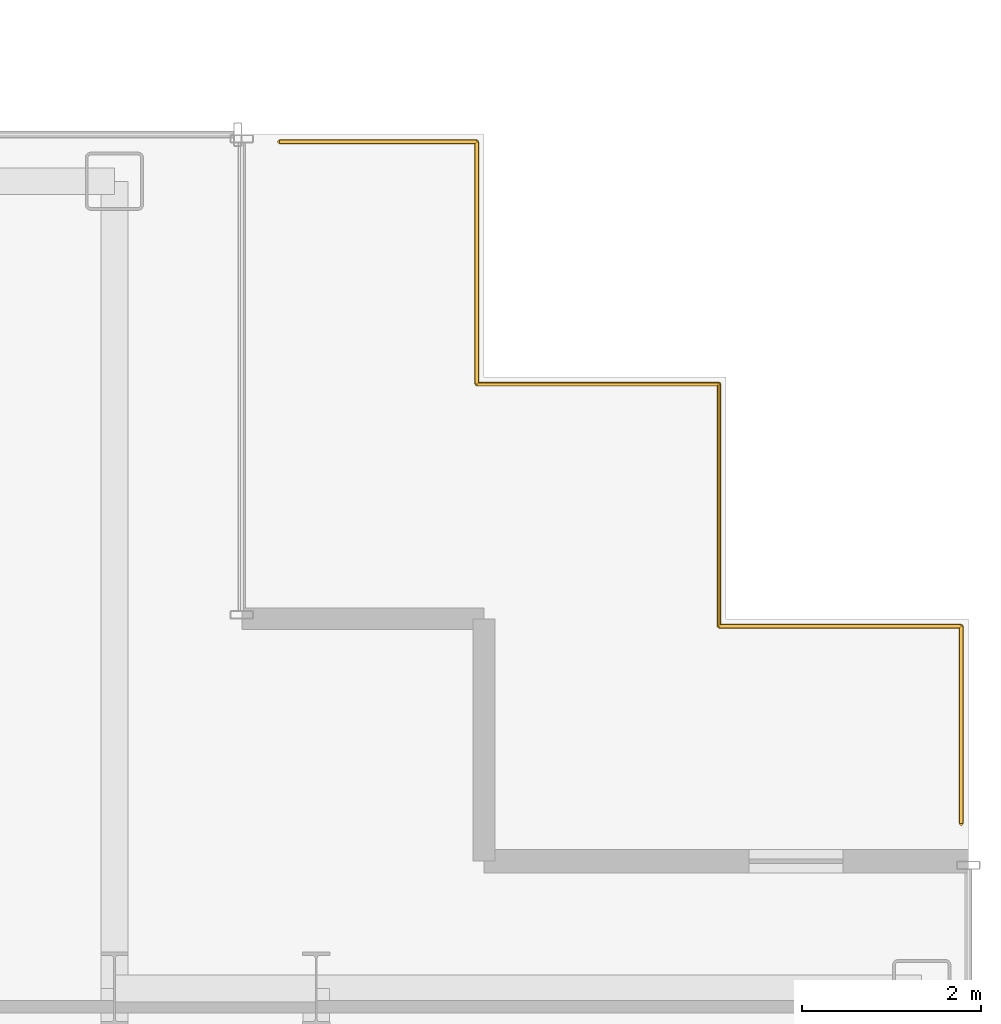
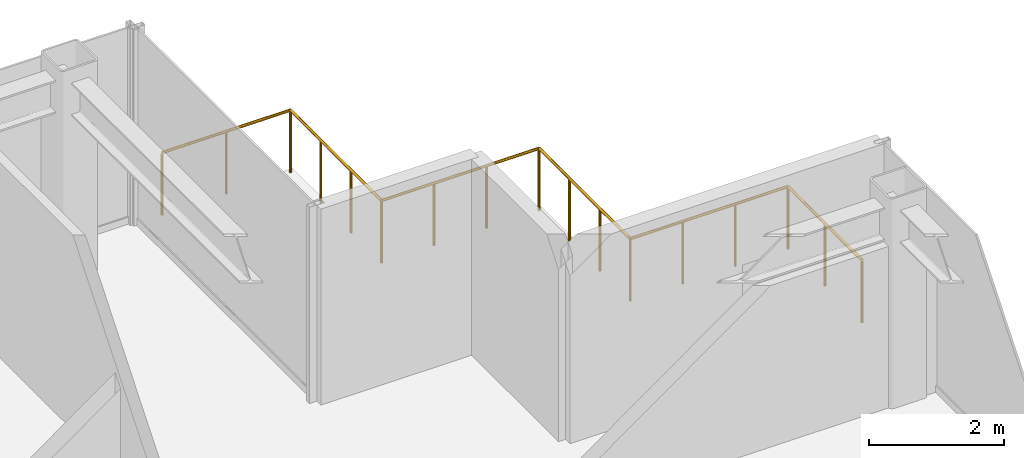
# One storey, part 20 of 20: 1 railing.
"""IFC4 building model written with IfcOpenShell, lengths in metres."""

from ifc_helpers import new_model, si_unit, direction, frame, origin, origin_2d, place, context, subcontext, project, spatial, circle, extrude, material, type_object, element, save


model = new_model("IFC4")

# Units and contexts
model_context = context("Model", 3, precision=1e-05, world=origin(), true_north=direction((0.0, 1.0)))
body_context = subcontext(model_context, "Body", "Model", "MODEL_VIEW")
ifc_project = project(units=[si_unit("LENGTHUNIT", "METRE"), si_unit("AREAUNIT", "SQUARE_METRE"), si_unit("VOLUMEUNIT", "CUBIC_METRE"), si_unit("PLANEANGLEUNIT", "RADIAN"), si_unit("MASSUNIT", "GRAM", prefix="KILO")], contexts=[model_context])

# Site, building, storey
site_placement = place(None, origin())
site = spatial("IfcSite", under=ifc_project, at=site_placement, CompositionType="ELEMENT")
building_placement = place(site_placement, origin())
building = spatial("IfcBuilding", under=site, at=building_placement, Name="Nefas-Gora Pilgrimage Tower", CompositionType="ELEMENT")
storey_placement = place(building_placement, frame((0.0, 0.0, 221.800048828125)))
storey = spatial("IfcBuildingStorey", under=building, at=storey_placement, Name="L55", CompositionType="ELEMENT", Elevation=221.800048828125)

# Railing
ifc_material = material(Name="Laminated safety glass and stainless steel", Category="steel")
railing_type = type_object("IfcRailingType", Name="RLG-TER-1150", PredefinedType="BALUSTRADE", material=ifc_material)
railing_placement = place(storey_placement, frame((17.590087890625, 22.93994140625, 0.0)))
element("IfcRailing", 1, at=railing_placement, inside=storey, type_object=railing_type, Name="L55 Terrace Continuous Balustrade TER-SP-NE.1", PredefinedType="BALUSTRADE", context=body_context, shape_type="SweptSolid", body=[
    extrude(circle(Radius=0.02392578125, at=origin_2d()), frame((0.0, 0.0, 1.1259765625), z_axis=(1.0, 0.0, 0.0), x_axis=(0.0, 1.0, 0.0)), (0.0, 0.0, 1.0), 2.199951171875),
    extrude(circle(Radius=0.02392578125, at=origin_2d()), frame((2.199951171875, 0.0, 1.1259765625), z_axis=(0.0, -1.0, 0.0), x_axis=(1.0, 0.0, 0.0)), (0.0, 0.0, 1.0), 2.699951171875),
    extrude(circle(Radius=0.02392578125, at=origin_2d()), frame((2.199951171875, -2.699951171875, 1.1259765625), z_axis=(1.0, 0.0, 0.0), x_axis=(0.0, 1.0, 0.0)), (0.0, 0.0, 1.0), 2.699951171875),
    extrude(circle(Radius=0.02392578125, at=origin_2d()), frame((4.89990234375, -2.699951171875, 1.1259765625), z_axis=(0.0, -1.0, 0.0), x_axis=(1.0, 0.0, 0.0)), (0.0, 0.0, 1.0), 2.699951171875),
    extrude(circle(Radius=0.02392578125, at=origin_2d()), frame((4.89990234375, -5.39990234375, 1.1259765625), z_axis=(1.0, 0.0, 0.0), x_axis=(0.0, 1.0, 0.0)), (0.0, 0.0, 1.0), 2.699951171875),
    extrude(circle(Radius=0.02392578125, at=origin_2d()), frame((7.599853515625, -5.39990234375, 1.1259765625), z_axis=(0.0, -1.0, 0.0), x_axis=(1.0, 0.0, 0.0)), (0.0, 0.0, 1.0), 2.199951171875),
    extrude(circle(Radius=0.02099609375, at=origin_2d()), origin(), (0.0, 0.0, 1.0), 1.101806640625),
    extrude(circle(Radius=0.02099609375, at=origin_2d()), frame((1.10009765625, 0.0, 0.0)), (0.0, 0.0, 1.0), 1.101806640625),
    extrude(circle(Radius=0.02099609375, at=origin_2d()), frame((2.199951171875, 0.0, 0.0)), (0.0, 0.0, 1.0), 1.101806640625),
    extrude(circle(Radius=0.02099609375, at=origin_2d()), frame((2.199951171875, -0.89990234375, 0.0)), (0.0, 0.0, 1.0), 1.101806640625),
    extrude(circle(Radius=0.02099609375, at=origin_2d()), frame((2.199951171875, -1.800048828125, 0.0)), (0.0, 0.0, 1.0), 1.101806640625),
    extrude(circle(Radius=0.02099609375, at=origin_2d()), frame((2.199951171875, -2.699951171875, 0.0)), (0.0, 0.0, 1.0), 1.101806640625),
    extrude(circle(Radius=0.02099609375, at=origin_2d()), frame((3.099853515625, -2.699951171875, 0.0)), (0.0, 0.0, 1.0), 1.101806640625),
    extrude(circle(Radius=0.02099609375, at=origin_2d()), frame((4.0, -2.699951171875, 0.0)), (0.0, 0.0, 1.0), 1.101806640625),
    extrude(circle(Radius=0.02099609375, at=origin_2d()), frame((4.89990234375, -2.699951171875, 0.0)), (0.0, 0.0, 1.0), 1.101806640625),
    extrude(circle(Radius=0.02099609375, at=origin_2d()), frame((4.89990234375, -3.599853515625, 0.0)), (0.0, 0.0, 1.0), 1.101806640625),
    extrude(circle(Radius=0.02099609375, at=origin_2d()), frame((4.89990234375, -4.5, 0.0)), (0.0, 0.0, 1.0), 1.101806640625),
    extrude(circle(Radius=0.02099609375, at=origin_2d()), frame((4.89990234375, -5.39990234375, 0.0)), (0.0, 0.0, 1.0), 1.101806640625),
    extrude(circle(Radius=0.02099609375, at=origin_2d()), frame((5.7998046875, -5.39990234375, 0.0)), (0.0, 0.0, 1.0), 1.101806640625),
    extrude(circle(Radius=0.02099609375, at=origin_2d()), frame((6.699951171875, -5.39990234375, 0.0)), (0.0, 0.0, 1.0), 1.101806640625),
    extrude(circle(Radius=0.02099609375, at=origin_2d()), frame((7.599853515625, -5.39990234375, 0.0)), (0.0, 0.0, 1.0), 1.101806640625),
    extrude(circle(Radius=0.02099609375, at=origin_2d()), frame((7.599853515625, -6.5, 0.0)), (0.0, 0.0, 1.0), 1.101806640625),
    extrude(circle(Radius=0.02099609375, at=origin_2d()), frame((7.599853515625, -7.599853515625, 0.0)), (0.0, 0.0, 1.0), 1.101806640625),
])

save(model, "model.ifc")
